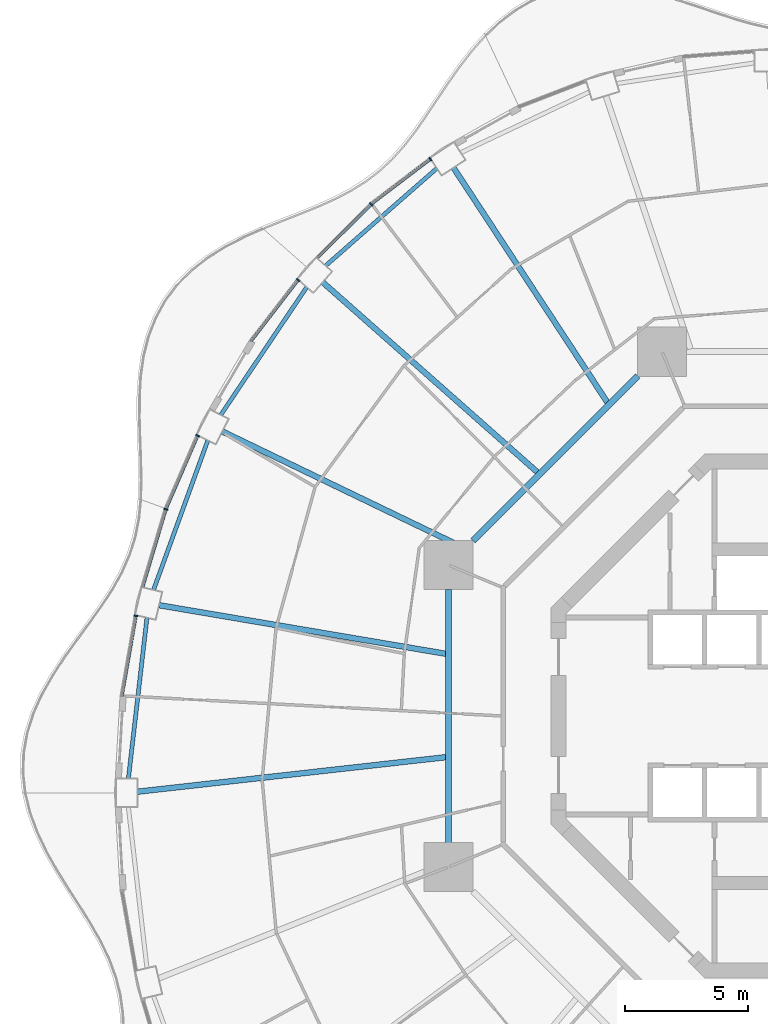
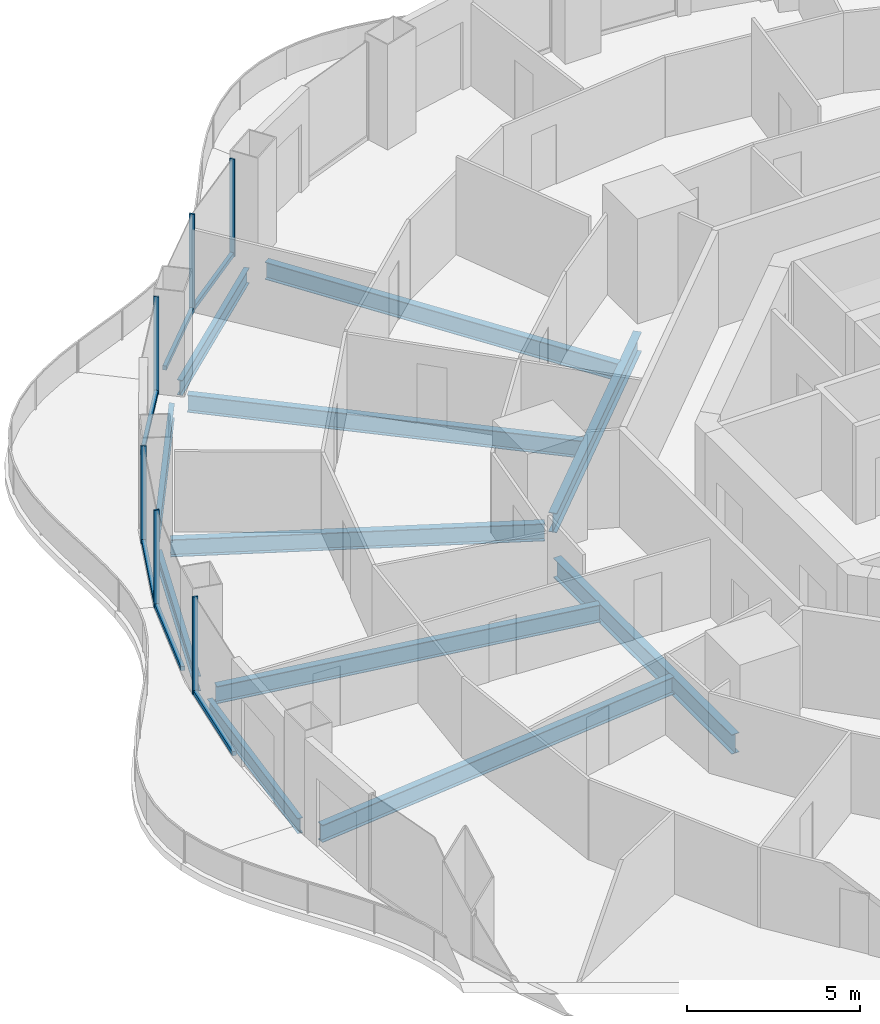
# One storey, part 6 of 19: 12 members, 11 beams, 6 elements without a shape of their own.
"""IFC4 building model written with IfcOpenShell, lengths in metres."""

from ifc_helpers import new_model, si_unit, direction, frame, origin, origin_2d, place, context, subcontext, project, spatial, rectangle, i_section, extrude, material, layer, layer_set, material_profile, profile_set, type_object, element, aggregate, save


model = new_model("IFC4")

# Units and contexts
model_context = context("Model", 3, precision=1e-05, world=origin(), true_north=direction((0.0, 1.0)))
body_context = subcontext(model_context, "Body", "Model", "MODEL_VIEW")
ifc_project = project(units=[si_unit("LENGTHUNIT", "METRE"), si_unit("AREAUNIT", "SQUARE_METRE"), si_unit("VOLUMEUNIT", "CUBIC_METRE"), si_unit("PLANEANGLEUNIT", "RADIAN"), si_unit("MASSUNIT", "GRAM", prefix="KILO")], contexts=[model_context])

# Site, building, storey
site_placement = place(None, origin())
site = spatial("IfcSite", under=ifc_project, at=site_placement, CompositionType="ELEMENT")
building_placement = place(site_placement, origin())
building = spatial("IfcBuilding", under=site, at=building_placement, Name="Nagisa Residences", CompositionType="ELEMENT")
storey_placement = place(building_placement, frame((0.0, 0.0, 149.199951171875)))
storey = spatial("IfcBuildingStorey", under=building, at=storey_placement, Name="L37", CompositionType="ELEMENT", Elevation=149.199951171875)

# Curtain wall, member
ifc_material_1 = material(Name="Concrete-coloured aluminium curtain wall system", Category="concrete")
ifc_layer = layer(ifc_material_1, 0.159912109375)
ifc_layer_set = layer_set([ifc_layer], Name="CW1 CURTAIN WALL")
curtain_wall_type = type_object("IfcCurtainWallType", Name="CW1 CURTAIN WALL", PredefinedType="NOTDEFINED", material=ifc_layer_set)
curtain_wall_1_placement = place(storey_placement, origin())
curtain_wall_1 = element("IfcCurtainWall", 1, at=curtain_wall_1_placement, inside=storey, type_object=curtain_wall_type, Name="cw:CW1:L37:16", PredefinedType="NOTDEFINED")
ifc_material_2 = material(Name="Concrete-coloured aluminium", Category="concrete")
ifc_material_profile_1 = material_profile(ifc_material_2, rectangle(XDim=0.159912109375, YDim=0.06005859375, at=origin_2d()), Name="CW1 MULLION 160x60")
ifc_profile_set_1 = profile_set([ifc_material_profile_1], Name="Concrete-coloured aluminium")
member_type_1 = type_object("IfcMemberType", Name="CW1 MULLION 160x60", PredefinedType="MULLION", material=ifc_profile_set_1)
member_1_placement = place(storey_placement, frame((-15.5205078125, 22.5869140625, 0.0), z_axis=(0.0, 0.0, 1.0), x_axis=(0.605255421737, -0.79603132756, 0.0)))
member_1 = element("IfcMember", 2, at=member_1_placement, type_object=member_type_1, Name="CW1 mullion", PredefinedType="MULLION", context=body_context, shape_type="SweptSolid", body=[
    extrude(rectangle(XDim=0.159912109375, YDim=0.06005859375, at=origin_2d()), origin(), (0.0, 0.0, 1.0), 3.43994140625),
])

curtain_wall_2_placement = place(storey_placement, origin())
curtain_wall_2 = element("IfcCurtainWall", 3, at=curtain_wall_2_placement, inside=storey, type_object=curtain_wall_type, Name="cw:CW1:L37:17", PredefinedType="NOTDEFINED")
member_2_placement = place(storey_placement, frame((-17.918212890625, 20.759765625, 0.0), z_axis=(0.0, 0.0, 1.0), x_axis=(0.706376885714, -0.707835924016, 0.0)))
member_2 = element("IfcMember", 4, at=member_2_placement, type_object=member_type_1, Name="CW1 mullion", PredefinedType="MULLION", context=body_context, shape_type="SweptSolid", body=[
    extrude(rectangle(XDim=0.159912109375, YDim=0.06005859375, at=origin_2d()), origin(), (0.0, 0.0, 1.0), 3.43994140625),
])

curtain_wall_3_placement = place(storey_placement, origin())
curtain_wall_3 = element("IfcCurtainWall", 5, at=curtain_wall_3_placement, inside=storey, type_object=curtain_wall_type, Name="cw:CW1:L37:18", PredefinedType="NOTDEFINED")
member_3_placement = place(storey_placement, frame((-20.88427734375, 17.685546875, 0.0), z_axis=(0.0, 0.0, 1.0), x_axis=(0.792070340816, -0.610429828235, 0.0)))
member_3 = element("IfcMember", 6, at=member_3_placement, type_object=member_type_1, Name="CW1 mullion", PredefinedType="MULLION", context=body_context, shape_type="SweptSolid", body=[
    extrude(rectangle(XDim=0.159912109375, YDim=0.06005859375, at=origin_2d()), origin(), (0.0, 0.0, 1.0), 3.43994140625),
])

curtain_wall_4_placement = place(storey_placement, origin())
curtain_wall_4 = element("IfcCurtainWall", 7, at=curtain_wall_4_placement, inside=storey, type_object=curtain_wall_type, Name="cw:CW1:L37:20", PredefinedType="NOTDEFINED")
member_4_placement = place(storey_placement, frame((-24.95703125, 11.369873046875, 0.0), z_axis=(0.0, 0.0, 1.0), x_axis=(0.917543276295, -0.397635934147, 0.0)))
member_4 = element("IfcMember", 8, at=member_4_placement, type_object=member_type_1, Name="CW1 mullion", PredefinedType="MULLION", context=body_context, shape_type="SweptSolid", body=[
    extrude(rectangle(XDim=0.159912109375, YDim=0.06005859375, at=origin_2d()), origin(), (0.0, 0.0, 1.0), 3.43994140625),
])

curtain_wall_5_placement = place(storey_placement, origin())
curtain_wall_5 = element("IfcCurtainWall", 9, at=curtain_wall_5_placement, inside=storey, type_object=curtain_wall_type, Name="cw:CW1:L37:21", PredefinedType="NOTDEFINED")
member_5_placement = place(storey_placement, frame((-26.2470703125, 8.3857421875, 0.0), z_axis=(0.0, 0.0, 1.0), x_axis=(0.958271310082, -0.285860274038, 0.0)))
member_5 = element("IfcMember", 10, at=member_5_placement, type_object=member_type_1, Name="CW1 mullion", PredefinedType="MULLION", context=body_context, shape_type="SweptSolid", body=[
    extrude(rectangle(XDim=0.159912109375, YDim=0.06005859375, at=origin_2d()), origin(), (0.0, 0.0, 1.0), 3.43994140625),
])

curtain_wall_6_placement = place(storey_placement, origin())
curtain_wall_6 = element("IfcCurtainWall", 11, at=curtain_wall_6_placement, inside=storey, type_object=curtain_wall_type, Name="cw:CW1:L37:22", PredefinedType="NOTDEFINED")
member_6_placement = place(storey_placement, frame((-27.46044921875, 4.06298828125, 0.0), z_axis=(0.0, 0.0, 1.0), x_axis=(0.985063604377, -0.172190868898, 0.0)))
member_6 = element("IfcMember", 12, at=member_6_placement, type_object=member_type_1, Name="CW1 mullion", PredefinedType="MULLION", context=body_context, shape_type="SweptSolid", body=[
    extrude(rectangle(XDim=0.159912109375, YDim=0.06005859375, at=origin_2d()), origin(), (0.0, 0.0, 1.0), 3.43994140625),
])

# Member
ifc_material_3 = material(Name="Concrete-coloured aluminium", Category="concrete")
ifc_material_profile_2 = material_profile(ifc_material_3, rectangle(XDim=0.1201171875, YDim=0.14990234375, at=origin_2d()), Name="CW1 TRANSOM 120x150")
ifc_profile_set_2 = profile_set([ifc_material_profile_2], Name="Concrete-coloured aluminium")
member_type_2 = type_object("IfcMemberType", Name="CW1 TRANSOM 120x150", PredefinedType="USERDEFINED", material=ifc_profile_set_2)
member_7_placement = place(storey_placement, frame((-15.49658203125, 22.605224609375, 0.074951171875), z_axis=(-0.796022231079, -0.605267385233, 0.0), x_axis=(0.605267385233, -0.796022231079, 0.0)))
member_7 = element("IfcMember", 13, at=member_7_placement, type_object=member_type_2, Name="CW1 transom", ObjectType="TRANSOM", PredefinedType="USERDEFINED", context=body_context, shape_type="SweptSolid", body=[
    extrude(rectangle(XDim=0.1201171875, YDim=0.14990234375, at=origin_2d()), origin(), (0.0, 0.0, 1.0), 3.025634765625),
])

aggregate(curtain_wall_1, [member_1, member_7])

member_8_placement = place(storey_placement, frame((-17.89697265625, 20.781005859375, 0.074951171875), z_axis=(-0.707818274975, -0.706394570768, 0.0), x_axis=(0.706394570768, -0.707818274975, 0.0)))
member_8 = element("IfcMember", 14, at=member_8_placement, type_object=member_type_2, Name="CW1 transom", ObjectType="TRANSOM", PredefinedType="USERDEFINED", context=body_context, shape_type="SweptSolid", body=[
    extrude(rectangle(XDim=0.1201171875, YDim=0.14990234375, at=origin_2d()), origin(), (0.0, 0.0, 1.0), 3.086669921875),
])

aggregate(curtain_wall_2, [member_2, member_8])

member_9_placement = place(storey_placement, frame((-20.865966796875, 17.709228515625, 0.074951171875), z_axis=(-0.610467332273, -0.792041435928, 0.0), x_axis=(0.792041435928, -0.610467332273, 0.0)))
member_9 = element("IfcMember", 15, at=member_9_placement, type_object=member_type_2, Name="CW1 transom", ObjectType="TRANSOM", PredefinedType="USERDEFINED", context=body_context, shape_type="SweptSolid", body=[
    extrude(rectangle(XDim=0.1201171875, YDim=0.14990234375, at=origin_2d()), origin(), (0.0, 0.0, 1.0), 3.14892578125),
])

aggregate(curtain_wall_3, [member_3, member_9])

member_10_placement = place(storey_placement, frame((-24.945068359375, 11.3974609375, 0.074951171875), z_axis=(-0.397638954585, -0.917541967321, 0.0), x_axis=(0.917541967321, -0.397638954585, 0.0)))
member_10 = element("IfcMember", 16, at=member_10_placement, type_object=member_type_2, Name="CW1 transom", ObjectType="TRANSOM", PredefinedType="USERDEFINED", context=body_context, shape_type="SweptSolid", body=[
    extrude(rectangle(XDim=0.1201171875, YDim=0.14990234375, at=origin_2d()), origin(), (0.0, 0.0, 1.0), 3.2607421875),
])

aggregate(curtain_wall_4, [member_4, member_10])

member_11_placement = place(storey_placement, frame((-26.238525390625, 8.41455078125, 0.074951171875), z_axis=(-0.285842038783, -0.958276749621, 0.0), x_axis=(0.958276749621, -0.285842038783, 0.0)))
member_11 = element("IfcMember", 17, at=member_11_placement, type_object=member_type_2, Name="CW1 transom", ObjectType="TRANSOM", PredefinedType="USERDEFINED", context=body_context, shape_type="SweptSolid", body=[
    extrude(rectangle(XDim=0.1201171875, YDim=0.14990234375, at=origin_2d()), origin(), (0.0, 0.0, 1.0), 3.302734375),
])

aggregate(curtain_wall_5, [member_5, member_11])

member_12_placement = place(storey_placement, frame((-27.455322265625, 4.092529296875, 0.074951171875), z_axis=(-0.172234609255, -0.985055957484, 0.0), x_axis=(0.985055957484, -0.172234609255, 0.0)))
member_12 = element("IfcMember", 18, at=member_12_placement, type_object=member_type_2, Name="CW1 transom", ObjectType="TRANSOM", PredefinedType="USERDEFINED", context=body_context, shape_type="SweptSolid", body=[
    extrude(rectangle(XDim=0.1201171875, YDim=0.14990234375, at=origin_2d()), origin(), (0.0, 0.0, 1.0), 3.33251953125),
])

aggregate(curtain_wall_6, [member_6, member_12])

# Beams
ifc_material_4 = material(Name="Steel ASTM A572 Gr 50", Category="steel")
ifc_material_profile_3 = material_profile(ifc_material_4, i_section(OverallWidth=0.25390625, OverallDepth=0.68408203125, WebThickness=0.012451171875, FlangeThickness=0.018798828125, at=origin_2d()), Name="W690x140")
ifc_profile_set_3 = profile_set([ifc_material_profile_3], Name="Steel ASTM A572 Gr 50")
beam_type_1 = type_object("IfcBeamType", Name="Inner ring beam W690x140", PredefinedType="BEAM", material=ifc_profile_set_3)
beam_1_placement = place(storey_placement, frame((-7.10888671875, 13.796142578125, -0.60205078125), z_axis=(-0.707106781187, -0.707106781187, 0.0), x_axis=(0.707106781187, -0.707106781187, 0.0)))
element("IfcBeam", 19, at=beam_1_placement, inside=storey, type_object=beam_type_1, Name="beam:L37:ib3", PredefinedType="BEAM", context=body_context, shape_type="SweptSolid", body=[
    extrude(i_section(OverallWidth=0.25390625, OverallDepth=0.68408203125, WebThickness=0.012451171875, FlangeThickness=0.018798828125, at=origin_2d()), origin(), (0.0, 0.0, 1.0), 9.457275390625),
])
beam_2_placement = place(storey_placement, frame((-14.781982421875, 5.142822265625, -0.60205078125), z_axis=(0.0, -1.0, 0.0), x_axis=(1.0, 0.0, 0.0)))
element("IfcBeam", 20, at=beam_2_placement, inside=storey, type_object=beam_type_1, Name="beam:L37:ib4", PredefinedType="BEAM", context=body_context, shape_type="SweptSolid", body=[
    extrude(i_section(OverallWidth=0.25390625, OverallDepth=0.68408203125, WebThickness=0.012451171875, FlangeThickness=0.018798828125, at=origin_2d()), origin(), (0.0, 0.0, 1.0), 10.28564453125),
])
ifc_material_5 = material(Name="Steel ASTM A572 Gr 50", Category="steel")
ifc_material_profile_4 = material_profile(ifc_material_5, i_section(OverallWidth=0.166015625, OverallDepth=0.534912109375, WebThickness=0.01025390625, FlangeThickness=0.0166015625, at=origin_2d()), Name="W530x85")
ifc_profile_set_4 = profile_set([ifc_material_profile_4], Name="Steel ASTM A572 Gr 50")
beam_type_2 = type_object("IfcBeamType", Name="Perimeter ring beam W530x85", PredefinedType="BEAM", material=ifc_profile_set_4)
beam_3_placement = place(storey_placement, frame((-15.25830078125, 22.213134765625, -0.52734375), z_axis=(-0.752503526528, -0.658588219272, 0.0), x_axis=(0.658588219272, -0.752503526528, 0.0)))
element("IfcBeam", 21, at=beam_3_placement, inside=storey, type_object=beam_type_2, Name="beam:L37:pb09", PredefinedType="BEAM", context=body_context, shape_type="SweptSolid", body=[
    extrude(i_section(OverallWidth=0.166015625, OverallDepth=0.534912109375, WebThickness=0.01025390625, FlangeThickness=0.0166015625, at=origin_2d()), origin(), (0.0, 0.0, 1.0), 5.99462890625),
])
beam_4_placement = place(storey_placement, frame((-20.5361328125, 17.39453125, -0.52734375), z_axis=(-0.558187951157, -0.82971453596, 0.0), x_axis=(0.82971453596, -0.558187951157, 0.0)))
element("IfcBeam", 22, at=beam_4_placement, inside=storey, type_object=beam_type_2, Name="beam:L37:pb10", PredefinedType="BEAM", context=body_context, shape_type="SweptSolid", body=[
    extrude(i_section(OverallWidth=0.166015625, OverallDepth=0.534912109375, WebThickness=0.01025390625, FlangeThickness=0.0166015625, at=origin_2d()), origin(), (0.0, 0.0, 1.0), 6.24267578125),
])
beam_5_placement = place(storey_placement, frame((-24.54638671875, 11.180419921875, -0.52734375), z_axis=(-0.341366238276, -0.939930365168, 0.0), x_axis=(0.939930365168, -0.341366238276, 0.0)))
element("IfcBeam", 23, at=beam_5_placement, inside=storey, type_object=beam_type_2, Name="beam:L37:pb11", PredefinedType="BEAM", context=body_context, shape_type="SweptSolid", body=[
    extrude(i_section(OverallWidth=0.166015625, OverallDepth=0.534912109375, WebThickness=0.01025390625, FlangeThickness=0.0166015625, at=origin_2d()), origin(), (0.0, 0.0, 1.0), 6.450927734375),
])
beam_6_placement = place(storey_placement, frame((-27.014892578125, 3.98779296875, -0.52734375), z_axis=(-0.114660786771, -0.993404703017, 0.0), x_axis=(0.993404703017, -0.114660786771, 0.0)))
element("IfcBeam", 24, at=beam_6_placement, inside=storey, type_object=beam_type_2, Name="beam:L37:pb12", PredefinedType="BEAM", context=body_context, shape_type="SweptSolid", body=[
    extrude(i_section(OverallWidth=0.166015625, OverallDepth=0.534912109375, WebThickness=0.01025390625, FlangeThickness=0.0166015625, at=origin_2d()), origin(), (0.0, 0.0, 1.0), 6.568603515625),
])
ifc_material_6 = material(Name="Steel ASTM A572 Gr 50", Category="steel")
ifc_material_profile_5 = material_profile(ifc_material_6, i_section(OverallWidth=0.22900390625, OverallDepth=0.612060546875, WebThickness=0.011962890625, FlangeThickness=0.01953125, at=origin_2d()), Name="W610x125")
ifc_profile_set_5 = profile_set([ifc_material_profile_5], Name="Steel ASTM A572 Gr 50")
beam_type_3 = type_object("IfcBeamType", Name="Radial beam W610x125", PredefinedType="BEAM", material=ifc_profile_set_5)
beam_7_placement = place(storey_placement, frame((-14.581787109375, 22.2392578125, -0.56591796875), z_axis=(0.548325250323, -0.836265161212, 0.0), x_axis=(0.836265161212, 0.548325250323, 0.0)))
element("IfcBeam", 25, at=beam_7_placement, inside=storey, type_object=beam_type_3, Name="beam:L37:rb09", PredefinedType="BEAM", context=body_context, shape_type="SweptSolid", body=[
    extrude(i_section(OverallWidth=0.22900390625, OverallDepth=0.612060546875, WebThickness=0.011962890625, FlangeThickness=0.01953125, at=origin_2d()), origin(), (0.0, 0.0, 1.0), 11.385498046875),
])
beam_8_placement = place(storey_placement, frame((-19.887451171875, 17.594970703125, -0.56591796875), z_axis=(0.7489549138, -0.662620960349, 0.0), x_axis=(0.662620960349, 0.7489549138, 0.0)))
element("IfcBeam", 26, at=beam_8_placement, inside=storey, type_object=beam_type_3, Name="beam:L37:rb10", PredefinedType="BEAM", context=body_context, shape_type="SweptSolid", body=[
    extrude(i_section(OverallWidth=0.22900390625, OverallDepth=0.612060546875, WebThickness=0.011962890625, FlangeThickness=0.01953125, at=origin_2d()), origin(), (0.0, 0.0, 1.0), 11.63671875),
])
beam_9_placement = place(storey_placement, frame((-23.95947265625, 11.543212890625, -0.56591796875), z_axis=(0.900896469051, -0.434034044808, 0.0), x_axis=(0.434034044808, 0.900896469051, 0.0)))
element("IfcBeam", 27, at=beam_9_placement, inside=storey, type_object=beam_type_3, Name="beam:L37:rb11", PredefinedType="BEAM", context=body_context, shape_type="SweptSolid", body=[
    extrude(i_section(OverallWidth=0.22900390625, OverallDepth=0.612060546875, WebThickness=0.011962890625, FlangeThickness=0.01953125, at=origin_2d()), origin(), (0.0, 0.0, 1.0), 10.820556640625),
])
beam_10_placement = place(storey_placement, frame((-26.52294921875, 4.495849609375, -0.56591796875), z_axis=(0.985936650852, -0.167119479737, 0.0), x_axis=(0.167119479737, 0.985936650852, 0.0)))
element("IfcBeam", 28, at=beam_10_placement, inside=storey, type_object=beam_type_3, Name="beam:L37:rb12", PredefinedType="BEAM", context=body_context, shape_type="SweptSolid", body=[
    extrude(i_section(OverallWidth=0.22900390625, OverallDepth=0.612060546875, WebThickness=0.011962890625, FlangeThickness=0.01953125, at=origin_2d()), origin(), (0.0, 0.0, 1.0), 11.799560546875),
])
beam_11_placement = place(storey_placement, frame((-27.40478515625, -3.069580078125, -0.56591796875), z_axis=(0.993785470482, 0.111312347291, 0.0), x_axis=(-0.111312347291, 0.993785470482, 0.0)))
element("IfcBeam", 29, at=beam_11_placement, inside=storey, type_object=beam_type_3, Name="beam:L37:rb13", PredefinedType="BEAM", context=body_context, shape_type="SweptSolid", body=[
    extrude(i_section(OverallWidth=0.22900390625, OverallDepth=0.612060546875, WebThickness=0.011962890625, FlangeThickness=0.01953125, at=origin_2d()), origin(), (0.0, 0.0, 1.0), 12.593994140625),
])

save(model, "model.ifc")
